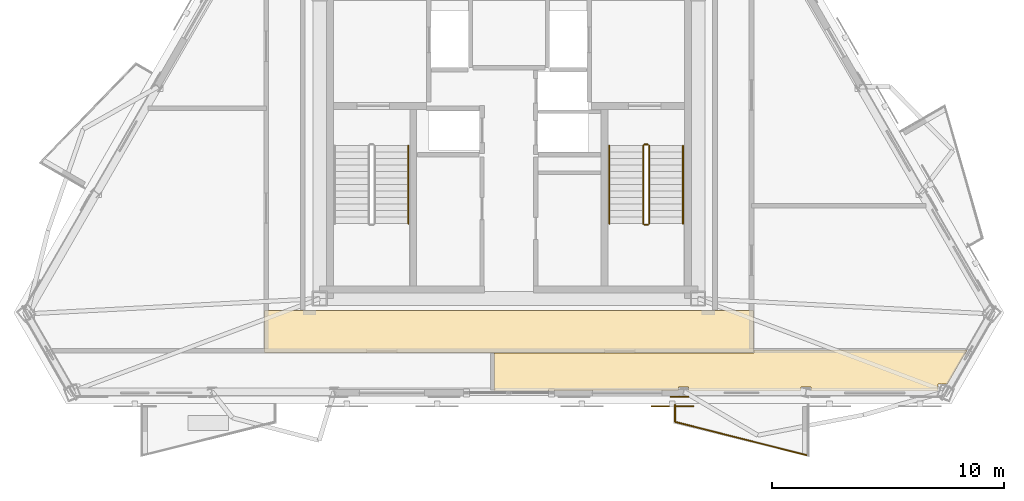
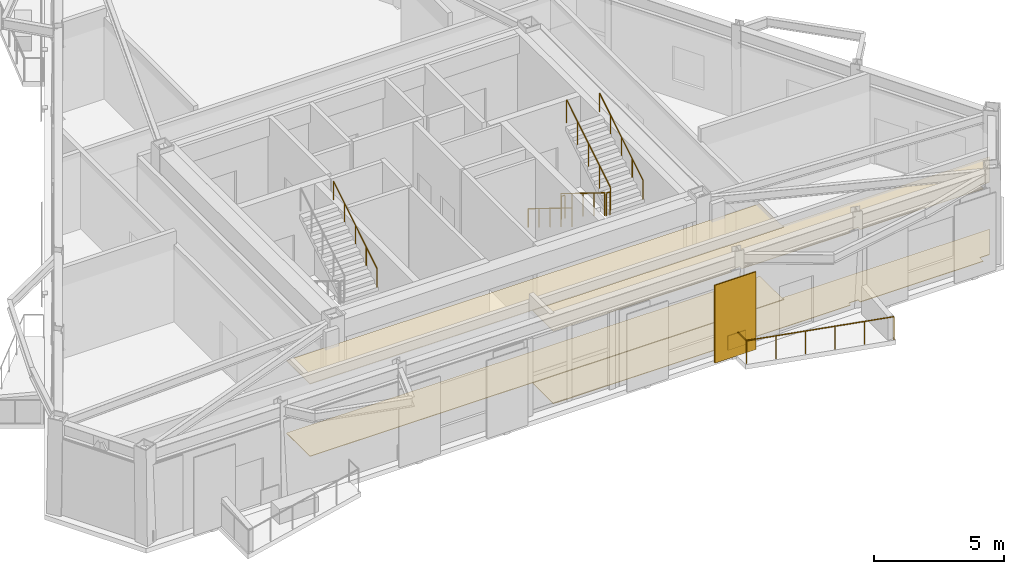
# One storey, part 14 of 16: 9 railings, 5 coverings, 1 shading device.
"""IFC4 building model written with IfcOpenShell, lengths in metres."""

from ifc_helpers import new_model, si_unit, direction, frame, origin, origin_2d, place, context, subcontext, project, spatial, polyline, rectangle, circle, outline, extrude, material, layer, layer_set, type_object, element, save


model = new_model("IFC4")

# Units and contexts
model_context = context("Model", 3, precision=1e-05, world=origin(), true_north=direction((0.0, 1.0)))
body_context = subcontext(model_context, "Body", "Model", "MODEL_VIEW")
ifc_project = project(units=[si_unit("LENGTHUNIT", "METRE"), si_unit("AREAUNIT", "SQUARE_METRE"), si_unit("VOLUMEUNIT", "CUBIC_METRE"), si_unit("PLANEANGLEUNIT", "RADIAN"), si_unit("MASSUNIT", "GRAM", prefix="KILO")], contexts=[model_context])

# Site, building, storey
site_placement = place(None, origin())
site = spatial("IfcSite", under=ifc_project, at=site_placement, CompositionType="ELEMENT")
building_placement = place(site_placement, origin())
building = spatial("IfcBuilding", under=site, at=building_placement, Name="Oramaril Tower", CompositionType="ELEMENT")
storey_placement = place(building_placement, frame((0.0, 0.0, 296.699951171875)))
storey = spatial("IfcBuildingStorey", under=building, at=storey_placement, Name="L78", CompositionType="ELEMENT", Elevation=296.699951171875)

# Coverings
ifc_material_1 = material(Name="Mineral Fibre Acoustic Ceiling")
ifc_layer_1 = layer(ifc_material_1, 0.02001953125)
ifc_layer_set_1 = layer_set([ifc_layer_1], Name="CVT-CEIL")
covering_type_1 = type_object("IfcCoveringType", Name="CVT-CEIL", PredefinedType="CEILING", material=ifc_layer_set_1)
covering_1_placement = place(storey_placement, frame((0.0, 0.0, 3.412109375)))
element("IfcCovering", 1, at=covering_1_placement, inside=storey, type_object=covering_type_1, Name="L78 Acoustic Suspended Ceiling 1", PredefinedType="CEILING", context=body_context, shape_type="SweptSolid", body=[
    extrude(outline(polyline([(48.030029296875, 10.47998046875), (48.030029296875, 8.669921875), (26.969970703125, 8.669921875), (26.969970703125, 10.47998046875), (48.030029296875, 10.47998046875)])), origin(), (0.0, 0.0, 1.0), 0.02001953125),
])
covering_2_placement = place(storey_placement, frame((0.0, 0.0, 3.412109375)))
element("IfcCovering", 2, at=covering_2_placement, inside=storey, type_object=covering_type_1, Name="L78 Acoustic Suspended Ceiling 6", PredefinedType="CEILING", context=body_context, shape_type="SweptSolid", body=[
    extrude(outline(polyline([(50.510009765625, 7.2041015625), (50.082275390625, 7.2041015625), (50.082275390625, 7.04931640625), (45.238037109375, 7.04931640625), (45.238037109375, 7.2041015625), (44.81640625, 7.2041015625), (44.81640625, 7.04931640625), (36.862060546875, 7.04931640625), (36.862060546875, 8.64990234375), (48.030029296875, 8.64990234375), (48.031982421875, 8.650146484375), (48.033935546875, 8.650390625), (48.035888671875, 8.65087890625), (48.03759765625, 8.651611328125), (48.039306640625, 8.65234375), (48.041015625, 8.6533203125), (48.042724609375, 8.654541015625), (48.044189453125, 8.656005859375), (48.04541015625, 8.6572265625), (48.046630859375, 8.658935546875), (48.047607421875, 8.66064453125), (48.048583984375, 8.662353515625), (48.049072265625, 8.664306640625), (48.049560546875, 8.666015625), (48.0498046875, 8.66796875), (48.050048828125, 8.669921875), (48.050048828125, 8.7919921875), (57.2509765625, 8.7919921875), (56.399658203125, 7.317626953125), (55.987060546875, 7.317626953125), (55.987060546875, 7.04931640625), (50.510009765625, 7.04931640625), (50.510009765625, 7.2041015625)])), origin(), (0.0, 0.0, 1.0), 0.02001953125),
])
ifc_material_2 = material(Name="Warm Cream Limestone", Category="masonry")
ifc_layer_2 = layer(ifc_material_2, 0.050048828125)
ifc_layer_set_2 = layer_set([ifc_layer_2], Name="CVT-CLD")
covering_type_2 = type_object("IfcCoveringType", Name="CVT-CLD", PredefinedType="CLADDING", material=ifc_layer_set_2)
covering_3_placement = place(storey_placement, frame((44.84423828125, 6.7734375, 0.0400390625), z_axis=(0.0, 0.0, 1.0), x_axis=(1.0, 0.0, 0.0)))
element("IfcCovering", 3, at=covering_3_placement, inside=storey, type_object=covering_type_2, Name="L78 Warm Cream Limestone Spandrel Cladding", PredefinedType="CLADDING", context=body_context, shape_type="SweptSolid", body=[
    extrude(rectangle(XDim=0.800048828125, YDim=0.050048828125, at=origin_2d()), origin(), (0.0, 0.0, 1.0), 0.679931640625),
])
ifc_material_3 = material(Name="Honed Quartzite Stone Flooring", Category="masonry")
ifc_layer_3 = layer(ifc_material_3, 0.02490234375)
ifc_layer_set_3 = layer_set([ifc_layer_3], Name="CVT-FLR")
covering_type_3 = type_object("IfcCoveringType", Name="CVT-FLR", PredefinedType="FLOORING", material=ifc_layer_set_3)
covering_4_placement = place(storey_placement, origin())
element("IfcCovering", 4, at=covering_4_placement, inside=storey, type_object=covering_type_3, Name="L78 Honed Stone Floor Finish 1", PredefinedType="FLOORING", context=body_context, shape_type="SweptSolid", body=[
    extrude(outline(polyline([(48.030029296875, 10.47998046875), (48.030029296875, 8.669921875), (26.969970703125, 8.669921875), (26.969970703125, 10.47998046875), (48.030029296875, 10.47998046875)])), origin(), (0.0, 0.0, 1.0), 0.025146484375),
])
covering_5_placement = place(storey_placement, origin())
element("IfcCovering", 5, at=covering_5_placement, inside=storey, type_object=covering_type_3, Name="L78 Honed Stone Floor Finish 6", PredefinedType="FLOORING", context=body_context, shape_type="SweptSolid", body=[
    extrude(outline(polyline([(50.510009765625, 7.2041015625), (50.082275390625, 7.2041015625), (50.082275390625, 7.04931640625), (45.238037109375, 7.04931640625), (45.238037109375, 7.2041015625), (44.81640625, 7.2041015625), (44.81640625, 7.04931640625), (36.862060546875, 7.04931640625), (36.862060546875, 8.64990234375), (48.030029296875, 8.64990234375), (48.031982421875, 8.650146484375), (48.033935546875, 8.650390625), (48.035888671875, 8.65087890625), (48.03759765625, 8.651611328125), (48.039306640625, 8.65234375), (48.041015625, 8.6533203125), (48.042724609375, 8.654541015625), (48.044189453125, 8.656005859375), (48.04541015625, 8.6572265625), (48.046630859375, 8.658935546875), (48.047607421875, 8.66064453125), (48.048583984375, 8.662353515625), (48.049072265625, 8.664306640625), (48.049560546875, 8.666015625), (48.0498046875, 8.66796875), (48.050048828125, 8.669921875), (48.050048828125, 8.7919921875), (57.2509765625, 8.7919921875), (56.399658203125, 7.317626953125), (55.987060546875, 7.317626953125), (55.987060546875, 7.04931640625), (50.510009765625, 7.04931640625), (50.510009765625, 7.2041015625)])), origin(), (0.0, 0.0, 1.0), 0.025146484375),
])

# Railings
ifc_material_4 = material(Name="Stainless Steel 316L", Category="steel")
railing_type_1 = type_object("IfcRailingType", Name="RLT-GRD", PredefinedType="GUARDRAIL", material=ifc_material_4)
railing_1_placement = place(storey_placement, frame((50.3876953125, 4.241455078125, 0.0)))
element("IfcRailing", 6, at=railing_1_placement, inside=storey, type_object=railing_type_1, Name="L78 Balcony Guardrail L78-BAL-S2.2", PredefinedType="GUARDRAIL", context=body_context, shape_type="SweptSolid", body=[
    extrude(circle(Radius=0.02392578125, at=origin_2d()), frame((0.0, 0.0, 1.076171875), z_axis=(-0.969443611257, 0.245314256807, 0.0), x_axis=(-0.245314256807, -0.969443611257, 0.0)), (0.0, 0.0, 1.0), 5.91064453125),
    extrude(circle(Radius=0.02099609375, at=origin_2d()), origin(), (0.0, 0.0, 1.0), 1.052001953125),
    extrude(circle(Radius=0.02099609375, at=origin_2d()), frame((-1.14599609375, 0.2900390625, 0.0)), (0.0, 0.0, 1.0), 1.052001953125),
    extrude(circle(Radius=0.02099609375, at=origin_2d()), frame((-2.2919921875, 0.580078125, 0.0)), (0.0, 0.0, 1.0), 1.052001953125),
    extrude(circle(Radius=0.02099609375, at=origin_2d()), frame((-3.43798828125, 0.869873046875, 0.0)), (0.0, 0.0, 1.0), 1.052001953125),
    extrude(circle(Radius=0.02099609375, at=origin_2d()), frame((-4.583984375, 1.159912109375, 0.0)), (0.0, 0.0, 1.0), 1.052001953125),
    extrude(circle(Radius=0.02099609375, at=origin_2d()), frame((-5.72998046875, 1.449951171875, 0.0)), (0.0, 0.0, 1.0), 1.052001953125),
])
railing_2_placement = place(storey_placement, frame((44.65771484375, 5.69140625, 0.0)))
element("IfcRailing", 7, at=railing_2_placement, inside=storey, type_object=railing_type_1, Name="L78 Balcony Guardrail L78-BAL-S2.3", PredefinedType="GUARDRAIL", context=body_context, shape_type="SweptSolid", body=[
    extrude(circle(Radius=0.02392578125, at=origin_2d()), frame((0.0, 0.0, 1.076171875), z_axis=(0.0, 1.0, 0.0), x_axis=(-1.0, 0.0, 0.0)), (0.0, 0.0, 1.0), 0.741943359375),
    extrude(circle(Radius=0.02099609375, at=origin_2d()), origin(), (0.0, 0.0, 1.0), 1.052001953125),
    extrude(circle(Radius=0.02099609375, at=origin_2d()), frame((0.0, 0.741943359375, 0.0)), (0.0, 0.0, 1.0), 1.052001953125),
])
railing_3_placement = place(storey_placement, frame((43.2900390625, 17.590087890625, 0.173095703125)))
element("IfcRailing", 8, at=railing_3_placement, inside=storey, type_object=railing_type_1, Name="L78 ST-2 stair guard 1", PredefinedType="GUARDRAIL", context=body_context, shape_type="SweptSolid", body=[
    extrude(circle(Radius=0.02392578125, at=origin_2d()), frame((0.0, 0.0, 1.076171875), z_axis=(0.0, -0.850623216509, 0.525775754039), x_axis=(1.0, 0.0, 0.0)), (0.0, 0.0, 1.0), 3.9501953125),
    extrude(circle(Radius=0.02099609375, at=origin_2d()), origin(), (0.0, 0.0, 1.0), 1.052001953125),
    extrude(circle(Radius=0.02099609375, at=origin_2d()), frame((0.0, -0.840087890625, 0.519287109375)), (0.0, 0.0, 1.0), 1.052001953125),
    extrude(circle(Radius=0.02099609375, at=origin_2d()), frame((0.0, -1.68017578125, 1.03857421875)), (0.0, 0.0, 1.0), 1.052001953125),
    extrude(circle(Radius=0.02099609375, at=origin_2d()), frame((0.0, -2.52001953125, 1.5576171875)), (0.0, 0.0, 1.0), 1.052001953125),
    extrude(circle(Radius=0.02099609375, at=origin_2d()), frame((0.0, -3.360107421875, 2.076904296875)), (0.0, 0.0, 1.0), 1.052001953125),
])
railing_4_placement = place(storey_placement, frame((43.340087890625, 14.179931640625, 2.25)))
element("IfcRailing", 9, at=railing_4_placement, inside=storey, type_object=railing_type_1, Name="L78 ST-2 stair guard 2", PredefinedType="GUARDRAIL", context=body_context, shape_type="SweptSolid", body=[
    extrude(circle(Radius=0.02392578125, at=origin_2d()), frame((0.0, 0.0, 1.076171875), z_axis=(1.0, 0.0, 0.0), x_axis=(0.0, 1.0, 0.0)), (0.0, 0.0, 1.0), 0.14990234375),
    extrude(circle(Radius=0.02099609375, at=origin_2d()), origin(), (0.0, 0.0, 1.0), 1.052001953125),
    extrude(circle(Radius=0.02099609375, at=origin_2d()), frame((0.14990234375, 0.0, 0.0)), (0.0, 0.0, 1.0), 1.052001953125),
])
railing_5_placement = place(storey_placement, frame((43.5400390625, 14.22998046875, 2.423095703125)))
element("IfcRailing", 10, at=railing_5_placement, inside=storey, type_object=railing_type_1, Name="L78 ST-2 stair guard 3", PredefinedType="GUARDRAIL", context=body_context, shape_type="SweptSolid", body=[
    extrude(circle(Radius=0.02392578125, at=origin_2d()), frame((0.0, 0.0, 1.076171875), z_axis=(0.0, 0.850623216509, 0.525775754039), x_axis=(-1.0, 0.0, 0.0)), (0.0, 0.0, 1.0), 3.9501953125),
    extrude(circle(Radius=0.02099609375, at=origin_2d()), origin(), (0.0, 0.0, 1.0), 1.052001953125),
    extrude(circle(Radius=0.02099609375, at=origin_2d()), frame((0.0, 0.840087890625, 0.519287109375)), (0.0, 0.0, 1.0), 1.052001953125),
    extrude(circle(Radius=0.02099609375, at=origin_2d()), frame((0.0, 1.68017578125, 1.03857421875)), (0.0, 0.0, 1.0), 1.052001953125),
    extrude(circle(Radius=0.02099609375, at=origin_2d()), frame((0.0, 2.52001953125, 1.5576171875)), (0.0, 0.0, 1.0), 1.052001953125),
    extrude(circle(Radius=0.02099609375, at=origin_2d()), frame((0.0, 3.360107421875, 2.076904296875)), (0.0, 0.0, 1.0), 1.052001953125),
])
railing_6_placement = place(storey_placement, frame((43.340087890625, 17.639892578125, 0.0)))
element("IfcRailing", 11, at=railing_6_placement, inside=storey, type_object=railing_type_1, Name="L78 ST-2 stair guard 4", PredefinedType="GUARDRAIL", context=body_context, shape_type="SweptSolid", body=[
    extrude(circle(Radius=0.02392578125, at=origin_2d()), frame((0.0, 0.0, 1.076171875), z_axis=(1.0, 0.0, 0.0), x_axis=(0.0, 1.0, 0.0)), (0.0, 0.0, 1.0), 0.14990234375),
    extrude(circle(Radius=0.02099609375, at=origin_2d()), origin(), (0.0, 0.0, 1.0), 1.052001953125),
    extrude(circle(Radius=0.02099609375, at=origin_2d()), frame((0.14990234375, 0.0, 0.0)), (0.0, 0.0, 1.0), 1.052001953125),
])
ifc_material_5 = material(Name="Stainless Steel 316L", Category="steel")
railing_type_2 = type_object("IfcRailingType", Name="RLT-HND", PredefinedType="HANDRAIL", material=ifc_material_5)
railing_7_placement = place(storey_placement, frame((33.169921875, 14.22998046875, 2.423095703125)))
element("IfcRailing", 12, at=railing_7_placement, inside=storey, type_object=railing_type_2, Name="L78 ST-1 stair handrail 2", PredefinedType="HANDRAIL", context=body_context, shape_type="SweptSolid", body=[
    extrude(circle(Radius=0.02392578125, at=origin_2d()), frame((0.0, 0.0, 0.8759765625), z_axis=(0.0, 0.850623216509, 0.525775754039), x_axis=(-1.0, 0.0, 0.0)), (0.0, 0.0, 1.0), 3.9501953125),
    extrude(circle(Radius=0.02099609375, at=origin_2d()), origin(), (0.0, 0.0, 1.0), 0.851806640625),
    extrude(circle(Radius=0.02099609375, at=origin_2d()), frame((0.0, 0.840087890625, 0.519287109375)), (0.0, 0.0, 1.0), 0.851806640625),
    extrude(circle(Radius=0.02099609375, at=origin_2d()), frame((0.0, 1.68017578125, 1.03857421875)), (0.0, 0.0, 1.0), 0.851806640625),
    extrude(circle(Radius=0.02099609375, at=origin_2d()), frame((0.0, 2.52001953125, 1.5576171875)), (0.0, 0.0, 1.0), 0.851806640625),
    extrude(circle(Radius=0.02099609375, at=origin_2d()), frame((0.0, 3.360107421875, 2.076904296875)), (0.0, 0.0, 1.0), 0.851806640625),
])
railing_8_placement = place(storey_placement, frame((41.830078125, 17.590087890625, 0.173095703125)))
element("IfcRailing", 13, at=railing_8_placement, inside=storey, type_object=railing_type_2, Name="L78 ST-2 stair handrail 1", PredefinedType="HANDRAIL", context=body_context, shape_type="SweptSolid", body=[
    extrude(circle(Radius=0.02392578125, at=origin_2d()), frame((0.0, 0.0, 0.8759765625), z_axis=(0.0, -0.850623216509, 0.525775754039), x_axis=(1.0, 0.0, 0.0)), (0.0, 0.0, 1.0), 3.9501953125),
    extrude(circle(Radius=0.02099609375, at=origin_2d()), origin(), (0.0, 0.0, 1.0), 0.851806640625),
    extrude(circle(Radius=0.02099609375, at=origin_2d()), frame((0.0, -0.840087890625, 0.519287109375)), (0.0, 0.0, 1.0), 0.851806640625),
    extrude(circle(Radius=0.02099609375, at=origin_2d()), frame((0.0, -1.68017578125, 1.03857421875)), (0.0, 0.0, 1.0), 0.851806640625),
    extrude(circle(Radius=0.02099609375, at=origin_2d()), frame((0.0, -2.52001953125, 1.5576171875)), (0.0, 0.0, 1.0), 0.851806640625),
    extrude(circle(Radius=0.02099609375, at=origin_2d()), frame((0.0, -3.360107421875, 2.076904296875)), (0.0, 0.0, 1.0), 0.851806640625),
])
railing_9_placement = place(storey_placement, frame((45.0, 14.22998046875, 2.423095703125)))
element("IfcRailing", 14, at=railing_9_placement, inside=storey, type_object=railing_type_2, Name="L78 ST-2 stair handrail 2", PredefinedType="HANDRAIL", context=body_context, shape_type="SweptSolid", body=[
    extrude(circle(Radius=0.02392578125, at=origin_2d()), frame((0.0, 0.0, 0.8759765625), z_axis=(0.0, 0.850623216509, 0.525775754039), x_axis=(-1.0, 0.0, 0.0)), (0.0, 0.0, 1.0), 3.9501953125),
    extrude(circle(Radius=0.02099609375, at=origin_2d()), origin(), (0.0, 0.0, 1.0), 0.851806640625),
    extrude(circle(Radius=0.02099609375, at=origin_2d()), frame((0.0, 0.840087890625, 0.519287109375)), (0.0, 0.0, 1.0), 0.851806640625),
    extrude(circle(Radius=0.02099609375, at=origin_2d()), frame((0.0, 1.68017578125, 1.03857421875)), (0.0, 0.0, 1.0), 0.851806640625),
    extrude(circle(Radius=0.02099609375, at=origin_2d()), frame((0.0, 2.52001953125, 1.5576171875)), (0.0, 0.0, 1.0), 0.851806640625),
    extrude(circle(Radius=0.02099609375, at=origin_2d()), frame((0.0, 3.360107421875, 2.076904296875)), (0.0, 0.0, 1.0), 0.851806640625),
])

# Shading device
shading_device_placement = place(storey_placement, frame((44.544677734375, 6.361328125, -0.02001953125), z_axis=(0.0, 0.0, 1.0), x_axis=(1.0, 0.0, 0.0)))
element("IfcShadingDevice", 15, at=shading_device_placement, inside=storey, Name="L78 Perforated Ceramic Solar Screen", ObjectType="SCREEN", PredefinedType="USERDEFINED", context=body_context, shape_type="SweptSolid", body=[
    extrude(rectangle(XDim=1.8330078125, YDim=0.050048828125, at=origin_2d()), origin(), (0.0, 0.0, 1.0), 3.657958984375),
])

save(model, "model.ifc")
